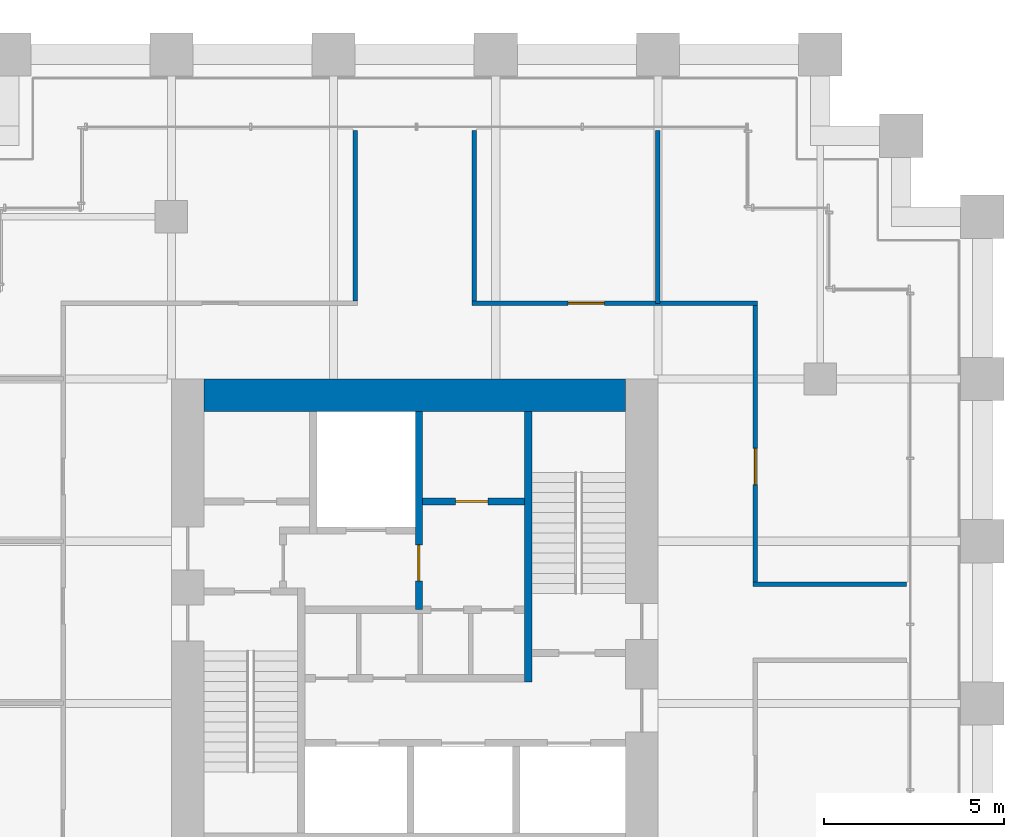
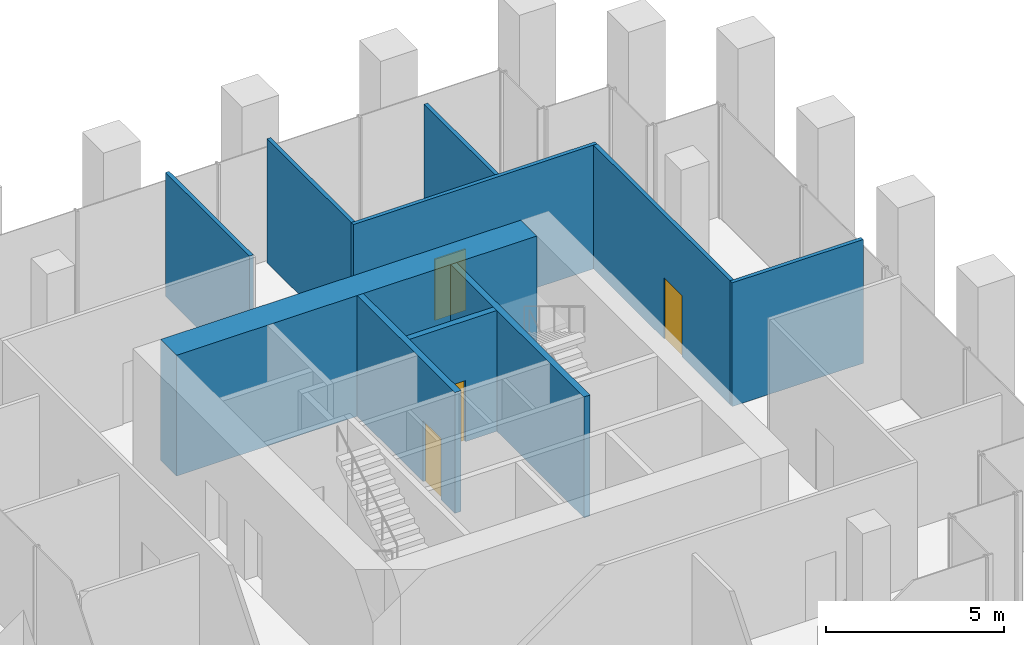
# One storey, part 33 of 36: 10 walls, 4 doors, 4 openings.
"""IFC4 building model written with IfcOpenShell, lengths in metres."""

from ifc_helpers import new_model, si_unit, direction, frame, frame_2d, origin, place, context, subcontext, project, spatial, rectangle, extrude, material, layer, layer_set, type_object, element, fill, save


model = new_model("IFC4")

# Units and contexts
model_context = context("Model", 3, precision=1e-05, world=origin(), true_north=direction((0.0, 1.0)))
body_context = subcontext(model_context, "Body", "Model", "MODEL_VIEW")
ifc_project = project(units=[si_unit("LENGTHUNIT", "METRE"), si_unit("AREAUNIT", "SQUARE_METRE"), si_unit("VOLUMEUNIT", "CUBIC_METRE"), si_unit("PLANEANGLEUNIT", "RADIAN"), si_unit("MASSUNIT", "GRAM", prefix="KILO")], contexts=[model_context])

# Site, building, storey
site_placement = place(None, origin())
site = spatial("IfcSite", under=ifc_project, at=site_placement, CompositionType="ELEMENT")
building_placement = place(site_placement, origin())
building = spatial("IfcBuilding", under=site, at=building_placement, Name="Altepetl Exchange Towers", CompositionType="ELEMENT")
storey_placement = place(building_placement, frame((0.0, 0.0, 43.0)))
storey = spatial("IfcBuildingStorey", under=building, at=storey_placement, Name="L09", CompositionType="ELEMENT", Elevation=43.0)

# Walls
ifc_material_1 = material(Name="Concrete C70/85", Category="concrete")
ifc_layer_1 = layer(ifc_material_1, 0.89990234375)
ifc_layer_set_1 = layer_set([ifc_layer_1], Name="Concrete C70/85")
wall_type_1 = type_object("IfcWallType", Name="Core wall 900 reinforced concrete", PredefinedType="SHEAR", material=ifc_layer_set_1)
wall_1_placement = place(storey_placement, frame((104.39990234375, 49.050048828125, 0.0)))
element("IfcWall", 1, at=wall_1_placement, inside=storey, type_object=wall_type_1, Name="wall:B:L09:K-coreN", PredefinedType="SHEAR", context=body_context, shape_type="SweptSolid", body=[
    extrude(rectangle(XDim=11.7001953125, YDim=0.89990234375, at=frame_2d((5.85009765625, 0.0))), origin(), (0.0, 0.0, 1.0), 4.14990234375),
])
ifc_material_2 = material(Name="Gypsum board on steel studs", Category="steel")
ifc_layer_2 = layer(ifc_material_2, 0.125)
ifc_layer_set_2 = layer_set([ifc_layer_2], Name="Gypsum board on steel studs")
wall_type_2 = type_object("IfcWallType", Name="Partition 125 gypsum board on steel studs", PredefinedType="PARTITIONING", material=ifc_layer_set_2)
wall_2_placement = place(storey_placement, frame((119.637451171875, 43.800048828125, 0.0)))
element("IfcWall", 2, at=wall_2_placement, inside=storey, type_object=wall_type_2, Name="wall:B:L09:P05", PredefinedType="PARTITIONING", context=body_context, shape_type="SweptSolid", body=[
    extrude(rectangle(XDim=4.262451171875, YDim=0.125, at=frame_2d((2.13134765625, 0.0))), origin(), (0.0, 0.0, 1.0), 4.25),
])

# Wall, opening, door
wall_3_placement = place(storey_placement, frame((111.83740234375, 51.60009765625, 0.0)))
wall_3 = element("IfcWall", 3, at=wall_3_placement, inside=storey, type_object=wall_type_2, Name="wall:B:L09:P09", PredefinedType="PARTITIONING", context=body_context, shape_type="SweptSolid", body=[
    extrude(rectangle(XDim=7.925048828125, YDim=0.125, at=frame_2d((3.96240234375, 0.0))), origin(), (0.0, 0.0, 1.0), 4.25),
])
opening_1_placement = place(wall_3_placement, frame((2.672607421875, 0.0, 0.0)))
opening_1 = element("IfcOpeningElement", 4, at=opening_1_placement, cuts=wall_3, Name="Opening L09.B06", PredefinedType="OPENING", context=body_context, shape_type="SweptSolid", body=[
    extrude(rectangle(XDim=1.0, YDim=2.10009765625, at=frame_2d((0.5, 1.050048828125))), frame((0.0, 0.072509765625, 0.0), z_axis=(0.0, -1.0, 0.0), x_axis=(1.0, 0.0, 0.0)), (0.0, 0.0, 1.0), 0.14501953125),
])
ifc_material_3 = material(Name="Steel and timber fire door", Category="steel")
door_type_1 = type_object("IfcDoorType", Name="Fire door 1000 x 2100 single leaf", OperationType="SINGLE_SWING_LEFT", PredefinedType="DOOR", material=ifc_material_3)
door_1_placement = place(opening_1_placement, origin())
door_1 = element("IfcDoor", 5, at=door_1_placement, inside=storey, type_object=door_type_1, Name="door:B:L09:06", OperationType="SINGLE_SWING_LEFT", OverallHeight=2.10009765625, OverallWidth=1.0, PredefinedType="DOOR", context=body_context, shape_type="SweptSolid", body=[
    extrude(rectangle(XDim=1.0, YDim=2.10009765625, at=frame_2d((0.5, 1.050048828125))), frame((0.0, 0.02490234375, 0.0), z_axis=(0.0, -1.0, 0.0), x_axis=(1.0, 0.0, 0.0)), (0.0, 0.0, 1.0), 0.050048828125),
])
fill(opening_1, door_1)

# Walls
for number, where, z_axis, x_axis, name in (
    (6, (108.60009765625, 51.66259765625, 0.0), (0.0, 0.0, 1.0), (0.0, 1.0, 0.0), "wall:B:L09:P12"),
    (7, (111.89990234375, 51.66259765625, 0.0), (0.0, 0.0, 1.0), (0.0, 1.0, 0.0), "wall:B:L09:P13"),
):
    element("IfcWall", number, at=place(storey_placement, frame(where, z_axis=z_axis, x_axis=x_axis)), inside=storey, type_object=wall_type_2, Name=name, PredefinedType="PARTITIONING", context=body_context, shape_type="SweptSolid", body=[
        extrude(rectangle(XDim=4.7373046875, YDim=0.125, at=frame_2d((2.36865234375, 0.0))), origin(), (0.0, 0.0, 1.0), 4.25),
    ])
wall_4_placement = place(storey_placement, frame((117.0, 51.60009765625, 0.0), z_axis=(0.0, 0.0, 1.0), x_axis=(0.0, 1.0, 0.0)))
element("IfcWall", 8, at=wall_4_placement, inside=storey, type_object=wall_type_2, Name="wall:B:L09:P15", PredefinedType="PARTITIONING", context=body_context, shape_type="SweptSolid", body=[
    extrude(rectangle(XDim=4.7998046875, YDim=0.125, at=frame_2d((2.39990234375, 0.0))), origin(), (0.0, 0.0, 1.0), 3.65087890625),
])

# Wall, opening, door
wall_5_placement = place(storey_placement, frame((119.699951171875, 43.862548828125, 0.0), z_axis=(0.0, 0.0, 1.0), x_axis=(0.0, 1.0, 0.0)))
wall_5 = element("IfcWall", 9, at=wall_5_placement, inside=storey, type_object=wall_type_2, Name="wall:B:L09:P17", PredefinedType="PARTITIONING", context=body_context, shape_type="SweptSolid", body=[
    extrude(rectangle(XDim=7.675048828125, YDim=0.125, at=frame_2d((3.83740234375, 0.0))), origin(), (0.0, 0.0, 1.0), 4.25),
])
opening_2_placement = place(wall_5_placement, frame((2.70947265625, 0.0, 0.0)))
opening_2 = element("IfcOpeningElement", 10, at=opening_2_placement, cuts=wall_5, Name="Opening L09.B05", PredefinedType="OPENING", context=body_context, shape_type="SweptSolid", body=[
    extrude(rectangle(XDim=1.0, YDim=2.10009765625, at=frame_2d((0.5, 1.050048828125))), frame((0.0, 0.072509765625, 0.0), z_axis=(0.0, -1.0, 0.0), x_axis=(1.0, 0.0, 0.0)), (0.0, 0.0, 1.0), 0.14501953125),
])
door_2_placement = place(opening_2_placement, frame((1.0, 0.0, 0.0), x_axis=(-1.0, 0.0, 0.0)))
door_2 = element("IfcDoor", 11, at=door_2_placement, inside=storey, type_object=door_type_1, Name="door:B:L09:05", OperationType="SINGLE_SWING_LEFT", OverallHeight=2.10009765625, OverallWidth=1.0, PredefinedType="DOOR", context=body_context, shape_type="SweptSolid", body=[
    extrude(rectangle(XDim=1.0, YDim=2.10009765625, at=frame_2d((0.5, 1.050048828125))), frame((0.0, 0.02490234375, 0.0), z_axis=(0.0, -1.0, 0.0), x_axis=(1.0, 0.0, 0.0)), (0.0, 0.0, 1.0), 0.050048828125),
])
fill(opening_2, door_2)

ifc_material_4 = material(Name="Concrete C40/50", Category="concrete")
ifc_layer_3 = layer(ifc_material_4, 0.199951171875)
ifc_layer_set_3 = layer_set([ifc_layer_3], Name="Concrete C40/50")
wall_type_3 = type_object("IfcWallType", Name="Shaft wall 200 reinforced concrete", PredefinedType="SHEAR", material=ifc_layer_set_3)
wall_6_placement = place(storey_placement, frame((110.36669921875, 48.60009765625, 0.0), z_axis=(0.0, 0.0, 1.0), x_axis=(0.0, -1.0, 0.0)))
wall_6 = element("IfcWall", 12, at=wall_6_placement, inside=storey, type_object=wall_type_3, Name="wall:B:L09:K-divN2", PredefinedType="SHEAR", context=body_context, shape_type="SweptSolid", body=[
    extrude(rectangle(XDim=5.5, YDim=0.199951171875, at=frame_2d((2.75, 0.0))), origin(), (0.0, 0.0, 1.0), 4.14990234375),
])
opening_3_placement = place(wall_6_placement, frame((3.699951171875, 0.0, 0.0)))
opening_3 = element("IfcOpeningElement", 13, at=opening_3_placement, cuts=wall_6, Name="Opening L09.B66", PredefinedType="OPENING", context=body_context, shape_type="SweptSolid", body=[
    extrude(rectangle(XDim=1.0, YDim=2.10009765625, at=frame_2d((0.5, 1.050048828125))), frame((0.0, 0.10986328125, 0.0), z_axis=(0.0, -1.0, 0.0), x_axis=(1.0, 0.0, 0.0)), (0.0, 0.0, 1.0), 0.219970703125),
])
door_type_2 = type_object("IfcDoorType", Name="Fire door 1000 x 2100 stair and lobby", OperationType="SINGLE_SWING_LEFT", PredefinedType="DOOR", material=ifc_material_3)
door_3_placement = place(opening_3_placement, frame((1.0, 0.0, 0.0), x_axis=(-1.0, 0.0, 0.0)))
door_3 = element("IfcDoor", 14, at=door_3_placement, inside=storey, type_object=door_type_2, Name="door:B:L09:K-dffE", OperationType="SINGLE_SWING_RIGHT", OverallHeight=2.10009765625, OverallWidth=1.0, PredefinedType="DOOR", context=body_context, shape_type="SweptSolid", body=[
    extrude(rectangle(XDim=1.0, YDim=2.10009765625, at=frame_2d((0.5, 1.050048828125))), frame((0.0, 0.02490234375, 0.0), z_axis=(0.0, -1.0, 0.0), x_axis=(1.0, 0.0, 0.0)), (0.0, 0.0, 1.0), 0.050048828125),
])
fill(opening_3, door_3)

wall_7_placement = place(storey_placement, frame((110.466796875, 46.10009765625, 0.0)))
wall_7 = element("IfcWall", 15, at=wall_7_placement, inside=storey, type_object=wall_type_3, Name="wall:B:L09:K-frontNb", PredefinedType="SHEAR", context=body_context, shape_type="SweptSolid", body=[
    extrude(rectangle(XDim=2.833251953125, YDim=0.199951171875, at=frame_2d((1.41650390625, 0.0))), origin(), (0.0, 0.0, 1.0), 4.14990234375),
])
opening_4_placement = place(wall_7_placement, frame((0.91650390625, 0.0, 0.0)))
opening_4 = element("IfcOpeningElement", 16, at=opening_4_placement, cuts=wall_7, Name="Opening L09.B69", PredefinedType="OPENING", context=body_context, shape_type="SweptSolid", body=[
    extrude(rectangle(XDim=0.89990234375, YDim=2.10009765625, at=frame_2d((0.449951171875, 1.050048828125))), frame((0.0, 0.10986328125, 0.0), z_axis=(0.0, -1.0, 0.0), x_axis=(1.0, 0.0, 0.0)), (0.0, 0.0, 1.0), 0.219970703125),
])
door_type_3 = type_object("IfcDoorType", Name="Fire door 900 x 2100 service room", OperationType="SINGLE_SWING_LEFT", PredefinedType="DOOR", material=ifc_material_3)
door_4_placement = place(opening_4_placement, origin())
door_4 = element("IfcDoor", 17, at=door_4_placement, inside=storey, type_object=door_type_3, Name="door:B:L09:K-dslotN2", OperationType="SINGLE_SWING_RIGHT", OverallHeight=2.10009765625, OverallWidth=0.89990234375, PredefinedType="DOOR", context=body_context, shape_type="SweptSolid", body=[
    extrude(rectangle(XDim=0.89990234375, YDim=2.10009765625, at=frame_2d((0.449951171875, 1.050048828125))), frame((0.0, 0.02490234375, 0.0), z_axis=(0.0, -1.0, 0.0), x_axis=(1.0, 0.0, 0.0)), (0.0, 0.0, 1.0), 0.050048828125),
])
fill(opening_4, door_4)

# Wall
ifc_layer_4 = layer(ifc_material_4, 0.199951171875)
ifc_layer_set_4 = layer_set([ifc_layer_4], Name="Concrete C40/50")
wall_type_4 = type_object("IfcWallType", Name="Stair wall 200 reinforced concrete", PredefinedType="SHEAR", material=ifc_layer_set_4)
wall_8_placement = place(storey_placement, frame((113.39990234375, 41.10009765625, 0.0), z_axis=(0.0, 0.0, 1.0), x_axis=(0.0, 1.0, 0.0)))
element("IfcWall", 18, at=wall_8_placement, inside=storey, type_object=wall_type_4, Name="wall:B:L09:K-stS2W", PredefinedType="SHEAR", context=body_context, shape_type="SweptSolid", body=[
    extrude(rectangle(XDim=7.5, YDim=0.199951171875, at=frame_2d((3.75, 0.0))), origin(), (0.0, 0.0, 1.0), 4.14990234375),
])

save(model, "model.ifc")
